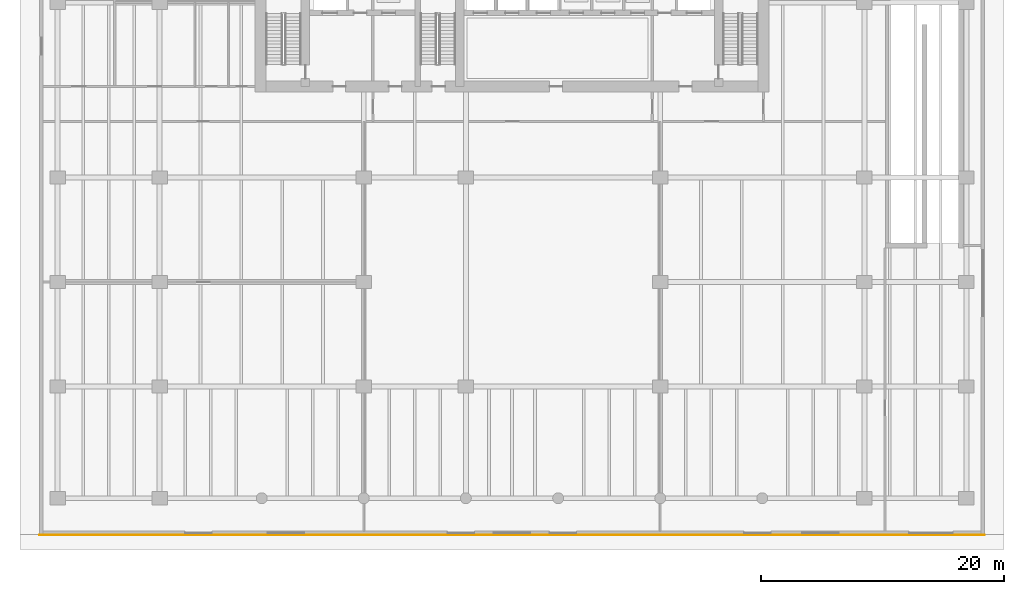
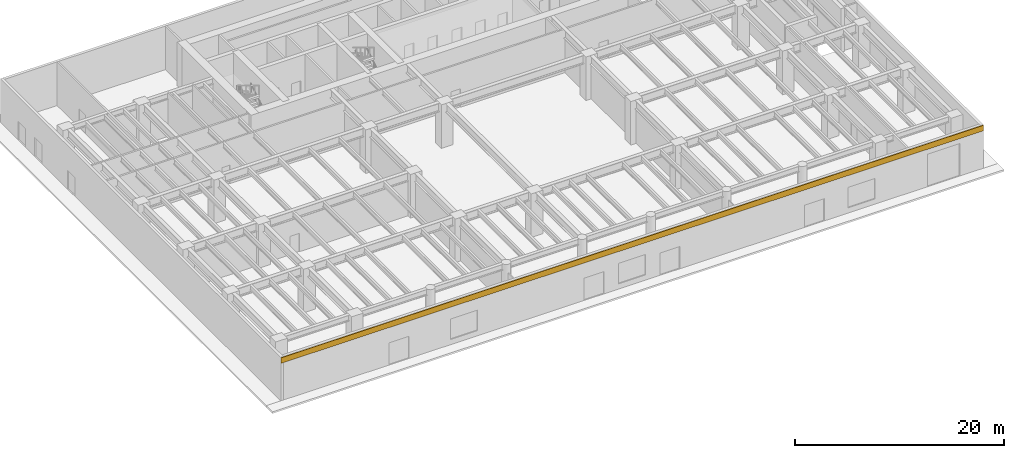
# One storey, part 8 of 11: 1 covering.
"""IFC4 building model written with IfcOpenShell, lengths in metres."""

from ifc_helpers import new_model, si_unit, direction, frame, origin, origin_2d, place, context, subcontext, project, spatial, rectangle, extrude, material, layer, layer_set, type_object, element, save


model = new_model("IFC4")

# Units and contexts
model_context = context("Model", 3, precision=1e-05, world=origin(), true_north=direction((0.0, 1.0)))
body_context = subcontext(model_context, "Body", "Model", "MODEL_VIEW")
ifc_project = project(units=[si_unit("LENGTHUNIT", "METRE"), si_unit("AREAUNIT", "SQUARE_METRE"), si_unit("VOLUMEUNIT", "CUBIC_METRE"), si_unit("PLANEANGLEUNIT", "RADIAN"), si_unit("MASSUNIT", "GRAM", prefix="KILO")], contexts=[model_context])

# Site, building, storey
site_placement = place(None, origin())
site = spatial("IfcSite", under=ifc_project, at=site_placement, CompositionType="ELEMENT")
building_placement = place(site_placement, origin())
building = spatial("IfcBuilding", under=site, at=building_placement, Name="Caelmar Bay Residences", CompositionType="ELEMENT")
storey_placement = place(building_placement, origin())
storey = spatial("IfcBuildingStorey", under=building, at=storey_placement, Name="L00", CompositionType="ELEMENT", Elevation=0.0)

# Covering
ifc_material = material(Name="Honed Florida oolitic limestone rainscreen 60 mm", Category="masonry")
ifc_layer = layer(ifc_material, 0.06005859375)
ifc_layer_set = layer_set([ifc_layer], Name="Honed Florida oolitic limestone rainscreen 60 mm")
covering_type = type_object("IfcCoveringType", Name="COV-CLAD-60", PredefinedType="CLADDING", material=ifc_layer_set)
covering_placement = place(storey_placement, frame((38.89990234375, -0.030029296875, 4.425048828125), z_axis=(0.0, 0.0, 1.0), x_axis=(1.0, 0.0, 0.0)))
element("IfcCovering", 1, at=covering_placement, inside=storey, type_object=covering_type, Name="L00 Oolitic Limestone Spandrel Cladding", PredefinedType="CLADDING", context=body_context, shape_type="SweptSolid", body=[
    extrude(rectangle(XDim=77.800048828125, YDim=0.06005859375, at=origin_2d()), origin(), (0.0, 0.0, 1.0), 0.64990234375),
])

save(model, "model.ifc")
